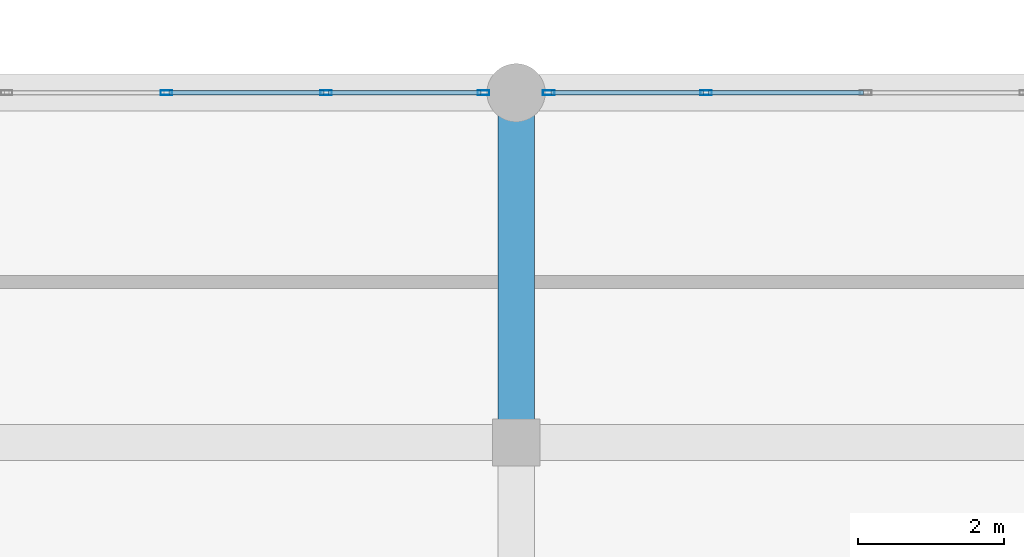
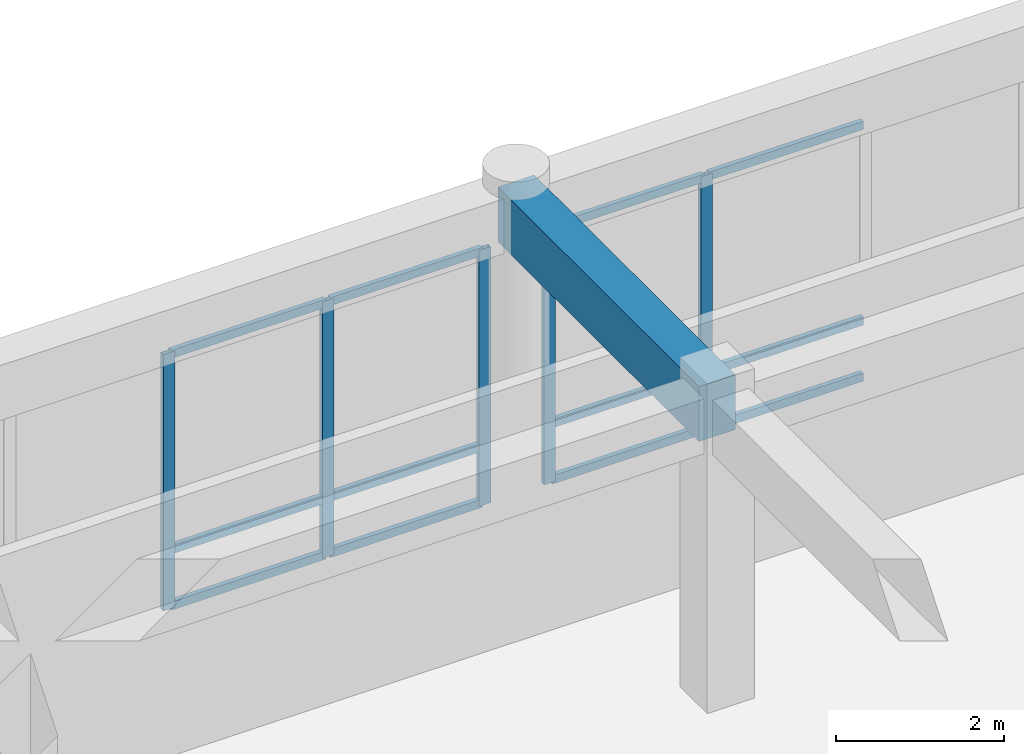
# One storey, part 6 of 101: 17 members, 1 beam, 2 elements without a shape of their own.
"""IFC4 building model written with IfcOpenShell, lengths in metres."""

from ifc_helpers import new_model, si_unit, direction, frame, origin, origin_2d, place, context, subcontext, project, spatial, rectangle, hollow_rectangle, extrude, material, layer, layer_set, material_profile, profile_set, type_object, element, aggregate, save


model = new_model("IFC4")

# Units and contexts
model_context = context("Model", 3, precision=1e-05, world=origin(), true_north=direction((0.0, 1.0)))
body_context = subcontext(model_context, "Body", "Model", "MODEL_VIEW")
ifc_project = project(units=[si_unit("LENGTHUNIT", "METRE"), si_unit("AREAUNIT", "SQUARE_METRE"), si_unit("VOLUMEUNIT", "CUBIC_METRE"), si_unit("PLANEANGLEUNIT", "RADIAN"), si_unit("MASSUNIT", "GRAM", prefix="KILO")], contexts=[model_context])

# Site, building, storey
site_placement = place(None, origin())
site = spatial("IfcSite", under=ifc_project, at=site_placement, CompositionType="ELEMENT")
building_placement = place(site_placement, origin())
building = spatial("IfcBuilding", under=site, at=building_placement, Name="Nakhvara Creek Congress Hotel", CompositionType="ELEMENT")
storey_placement = place(building_placement, frame((0.0, 0.0, 16.199951171875)))
storey = spatial("IfcBuildingStorey", under=building, at=storey_placement, Name="L03", CompositionType="ELEMENT", Elevation=16.199951171875)

# Beam
ifc_material_1 = material(Name="Concrete C40/50", Category="concrete")
ifc_material_profile_1 = material_profile(ifc_material_1, rectangle(XDim=0.5, YDim=0.800048828125, at=origin_2d()), Name="RC-BM 500x800", Category="LoadBearing")
ifc_profile_set_1 = profile_set([ifc_material_profile_1], Name="Concrete C40/50")
beam_type = type_object("IfcBeamType", Name="BM-RC-500X800", PredefinedType="BEAM", material=ifc_profile_set_1)
beam_placement = place(storey_placement, frame((86.39990234375, 38.39990234375, 4.14013671875), z_axis=(0.0, 1.0, 0.0), x_axis=(-1.0, 0.0, 0.0)))
element("IfcBeam", 1, at=beam_placement, inside=storey, type_object=beam_type, Name="Beam B03-L03-1719", PredefinedType="BEAM", context=body_context, shape_type="SweptSolid", body=[
    extrude(rectangle(XDim=0.5, YDim=0.800048828125, at=origin_2d()), origin(), (0.0, 0.0, 1.0), 4.800048828125),
])

# Curtain wall, members
ifc_material_2 = material(Name="Bronze-anodised aluminium AW-6063-T6 and double-silver low-E glass", Category="aluminium")
ifc_layer = layer(ifc_material_2, 0.199951171875)
ifc_layer_set = layer_set([ifc_layer], Name="Bronze-anodised aluminium AW-6063-T6 and double-silver low-E glass")
curtain_wall_type = type_object("IfcCurtainWallType", Name="CW-POD-STICK", PredefinedType="NOTDEFINED", material=ifc_layer_set)
curtain_wall_1_placement = place(storey_placement, origin())
curtain_wall_1 = element("IfcCurtainWall", 2, at=curtain_wall_1_placement, inside=storey, type_object=curtain_wall_type, Name="Curtain Wall CW049", PredefinedType="NOTDEFINED")
ifc_material_3 = material(Name="Bronze-anodised aluminium AW-6063-T6", Category="aluminium")
ifc_material_profile_2 = material_profile(ifc_material_3, hollow_rectangle(XDim=0.06494140625, YDim=0.159912109375, WallThickness=0.00390625, at=origin_2d()), Name="ALU-MULL 65x160x4", Category="LoadBearing")
ifc_profile_set_2 = profile_set([ifc_material_profile_2], Name="Bronze-anodised aluminium AW-6063-T6")
member_type_1 = type_object("IfcMemberType", Name="CW-MULL-160", PredefinedType="MULLION", material=ifc_profile_set_2)
member_1_placement = place(storey_placement, frame((81.60009765625, 43.199951171875, 0.0), z_axis=(0.0, 0.0, 1.0), x_axis=(0.0, 1.0, 0.0)))
member_1 = element("IfcMember", 3, at=member_1_placement, type_object=member_type_1, Name="CW049 mullion 3", PredefinedType="MULLION", context=body_context, shape_type="SweptSolid", body=[
    extrude(hollow_rectangle(XDim=0.06494140625, YDim=0.159912109375, WallThickness=0.00390625, at=origin_2d()), origin(), (0.0, 0.0, 1.0), 3.73193359375),
])
member_2_placement = place(storey_placement, frame((83.79248046875, 43.199951171875, 0.0), z_axis=(0.0, 0.0, 1.0), x_axis=(0.0, 1.0, 0.0)))
member_2 = element("IfcMember", 4, at=member_2_placement, type_object=member_type_1, Name="CW049 mullion 4", PredefinedType="MULLION", context=body_context, shape_type="SweptSolid", body=[
    extrude(hollow_rectangle(XDim=0.06494140625, YDim=0.159912109375, WallThickness=0.00390625, at=origin_2d()), origin(), (0.0, 0.0, 1.0), 3.73193359375),
])
member_3_placement = place(storey_placement, frame((85.952392578125, 43.199951171875, 0.0), z_axis=(0.0, 0.0, 1.0), x_axis=(0.0, 1.0, 0.0)))
member_3 = element("IfcMember", 5, at=member_3_placement, type_object=member_type_1, Name="CW049 mullion 5", PredefinedType="MULLION", context=body_context, shape_type="SweptSolid", body=[
    extrude(hollow_rectangle(XDim=0.06494140625, YDim=0.159912109375, WallThickness=0.00390625, at=origin_2d()), origin(), (0.0, 0.0, 1.0), 3.73193359375),
])

curtain_wall_2_placement = place(storey_placement, origin())
curtain_wall_2 = element("IfcCurtainWall", 6, at=curtain_wall_2_placement, inside=storey, type_object=curtain_wall_type, Name="Curtain Wall CW051", PredefinedType="NOTDEFINED")
member_4_placement = place(storey_placement, frame((86.847412109375, 43.199951171875, 0.0), z_axis=(0.0, 0.0, 1.0), x_axis=(0.0, 1.0, 0.0)))
member_4 = element("IfcMember", 7, at=member_4_placement, type_object=member_type_1, Name="CW051 mullion 1", PredefinedType="MULLION", context=body_context, shape_type="SweptSolid", body=[
    extrude(hollow_rectangle(XDim=0.06494140625, YDim=0.159912109375, WallThickness=0.00390625, at=origin_2d()), origin(), (0.0, 0.0, 1.0), 3.73193359375),
])
member_5_placement = place(storey_placement, frame((89.007568359375, 43.199951171875, 0.0), z_axis=(0.0, 0.0, 1.0), x_axis=(0.0, 1.0, 0.0)))
member_5 = element("IfcMember", 8, at=member_5_placement, type_object=member_type_1, Name="CW051 mullion 2", PredefinedType="MULLION", context=body_context, shape_type="SweptSolid", body=[
    extrude(hollow_rectangle(XDim=0.06494140625, YDim=0.159912109375, WallThickness=0.00390625, at=origin_2d()), origin(), (0.0, 0.0, 1.0), 3.73193359375),
])

# Member
ifc_material_profile_3 = material_profile(ifc_material_3, hollow_rectangle(XDim=0.06494140625, YDim=0.1201171875, WallThickness=0.00390625, at=origin_2d()), Name="ALU-TRAN 65x120x4", Category="LoadBearing")
ifc_profile_set_3 = profile_set([ifc_material_profile_3], Name="Bronze-anodised aluminium AW-6063-T6")
member_type_2 = type_object("IfcMemberType", Name="CW-TRAN-120", PredefinedType="USERDEFINED", material=ifc_profile_set_3)
member_6_placement = place(storey_placement, frame((81.632568359375, 43.199951171875, 0.032470703125), z_axis=(1.0, 0.0, 0.0), x_axis=(0.0, 1.0, 0.0)))
member_6 = element("IfcMember", 9, at=member_6_placement, type_object=member_type_2, Name="CW049 transom 3.1", ObjectType="TRANSOM", PredefinedType="USERDEFINED", context=body_context, shape_type="SweptSolid", body=[
    extrude(hollow_rectangle(XDim=0.06494140625, YDim=0.1201171875, WallThickness=0.00390625, at=origin_2d()), origin(), (0.0, 0.0, 1.0), 2.12744140625),
])

member_7_placement = place(storey_placement, frame((81.632568359375, 43.199951171875, 0.85009765625), z_axis=(1.0, 0.0, 0.0), x_axis=(0.0, 1.0, 0.0)))
member_7 = element("IfcMember", 10, at=member_7_placement, type_object=member_type_2, Name="CW049 transom 3.2", ObjectType="TRANSOM", PredefinedType="USERDEFINED", context=body_context, shape_type="SweptSolid", body=[
    extrude(hollow_rectangle(XDim=0.06494140625, YDim=0.1201171875, WallThickness=0.00390625, at=origin_2d()), origin(), (0.0, 0.0, 1.0), 2.12744140625),
])

member_8_placement = place(storey_placement, frame((81.632568359375, 43.199951171875, 3.699462890625), z_axis=(1.0, 0.0, 0.0), x_axis=(0.0, 1.0, 0.0)))
member_8 = element("IfcMember", 11, at=member_8_placement, type_object=member_type_2, Name="CW049 transom 3.3", ObjectType="TRANSOM", PredefinedType="USERDEFINED", context=body_context, shape_type="SweptSolid", body=[
    extrude(hollow_rectangle(XDim=0.06494140625, YDim=0.1201171875, WallThickness=0.00390625, at=origin_2d()), origin(), (0.0, 0.0, 1.0), 2.12744140625),
])

member_9_placement = place(storey_placement, frame((83.824951171875, 43.199951171875, 0.032470703125), z_axis=(1.0, 0.0, 0.0), x_axis=(0.0, 1.0, 0.0)))
member_9 = element("IfcMember", 12, at=member_9_placement, type_object=member_type_2, Name="CW049 transom 4.1", ObjectType="TRANSOM", PredefinedType="USERDEFINED", context=body_context, shape_type="SweptSolid", body=[
    extrude(hollow_rectangle(XDim=0.06494140625, YDim=0.1201171875, WallThickness=0.00390625, at=origin_2d()), origin(), (0.0, 0.0, 1.0), 2.094970703125),
])

member_10_placement = place(storey_placement, frame((83.824951171875, 43.199951171875, 0.85009765625), z_axis=(1.0, 0.0, 0.0), x_axis=(0.0, 1.0, 0.0)))
member_10 = element("IfcMember", 13, at=member_10_placement, type_object=member_type_2, Name="CW049 transom 4.2", ObjectType="TRANSOM", PredefinedType="USERDEFINED", context=body_context, shape_type="SweptSolid", body=[
    extrude(hollow_rectangle(XDim=0.06494140625, YDim=0.1201171875, WallThickness=0.00390625, at=origin_2d()), origin(), (0.0, 0.0, 1.0), 2.094970703125),
])

member_11_placement = place(storey_placement, frame((83.824951171875, 43.199951171875, 3.699462890625), z_axis=(1.0, 0.0, 0.0), x_axis=(0.0, 1.0, 0.0)))
member_11 = element("IfcMember", 14, at=member_11_placement, type_object=member_type_2, Name="CW049 transom 4.3", ObjectType="TRANSOM", PredefinedType="USERDEFINED", context=body_context, shape_type="SweptSolid", body=[
    extrude(hollow_rectangle(XDim=0.06494140625, YDim=0.1201171875, WallThickness=0.00390625, at=origin_2d()), origin(), (0.0, 0.0, 1.0), 2.094970703125),
])

aggregate(curtain_wall_1, [member_1, member_2, member_3, member_6, member_7, member_8, member_9, member_10, member_11])

member_12_placement = place(storey_placement, frame((86.8798828125, 43.199951171875, 0.032470703125), z_axis=(1.0, 0.0, 0.0), x_axis=(0.0, 1.0, 0.0)))
member_12 = element("IfcMember", 15, at=member_12_placement, type_object=member_type_2, Name="CW051 transom 1.1", ObjectType="TRANSOM", PredefinedType="USERDEFINED", context=body_context, shape_type="SweptSolid", body=[
    extrude(hollow_rectangle(XDim=0.06494140625, YDim=0.1201171875, WallThickness=0.00390625, at=origin_2d()), origin(), (0.0, 0.0, 1.0), 2.09521484375),
])

member_13_placement = place(storey_placement, frame((86.8798828125, 43.199951171875, 0.85009765625), z_axis=(1.0, 0.0, 0.0), x_axis=(0.0, 1.0, 0.0)))
member_13 = element("IfcMember", 16, at=member_13_placement, type_object=member_type_2, Name="CW051 transom 1.2", ObjectType="TRANSOM", PredefinedType="USERDEFINED", context=body_context, shape_type="SweptSolid", body=[
    extrude(hollow_rectangle(XDim=0.06494140625, YDim=0.1201171875, WallThickness=0.00390625, at=origin_2d()), origin(), (0.0, 0.0, 1.0), 2.09521484375),
])

member_14_placement = place(storey_placement, frame((86.8798828125, 43.199951171875, 3.699462890625), z_axis=(1.0, 0.0, 0.0), x_axis=(0.0, 1.0, 0.0)))
member_14 = element("IfcMember", 17, at=member_14_placement, type_object=member_type_2, Name="CW051 transom 1.3", ObjectType="TRANSOM", PredefinedType="USERDEFINED", context=body_context, shape_type="SweptSolid", body=[
    extrude(hollow_rectangle(XDim=0.06494140625, YDim=0.1201171875, WallThickness=0.00390625, at=origin_2d()), origin(), (0.0, 0.0, 1.0), 2.09521484375),
])

member_15_placement = place(storey_placement, frame((89.0400390625, 43.199951171875, 0.032470703125), z_axis=(1.0, 0.0, 0.0), x_axis=(0.0, 1.0, 0.0)))
member_15 = element("IfcMember", 18, at=member_15_placement, type_object=member_type_2, Name="CW051 transom 2.1", ObjectType="TRANSOM", PredefinedType="USERDEFINED", context=body_context, shape_type="SweptSolid", body=[
    extrude(hollow_rectangle(XDim=0.06494140625, YDim=0.1201171875, WallThickness=0.00390625, at=origin_2d()), origin(), (0.0, 0.0, 1.0), 2.12744140625),
])

member_16_placement = place(storey_placement, frame((89.0400390625, 43.199951171875, 0.85009765625), z_axis=(1.0, 0.0, 0.0), x_axis=(0.0, 1.0, 0.0)))
member_16 = element("IfcMember", 19, at=member_16_placement, type_object=member_type_2, Name="CW051 transom 2.2", ObjectType="TRANSOM", PredefinedType="USERDEFINED", context=body_context, shape_type="SweptSolid", body=[
    extrude(hollow_rectangle(XDim=0.06494140625, YDim=0.1201171875, WallThickness=0.00390625, at=origin_2d()), origin(), (0.0, 0.0, 1.0), 2.12744140625),
])

member_17_placement = place(storey_placement, frame((89.0400390625, 43.199951171875, 3.699462890625), z_axis=(1.0, 0.0, 0.0), x_axis=(0.0, 1.0, 0.0)))
member_17 = element("IfcMember", 20, at=member_17_placement, type_object=member_type_2, Name="CW051 transom 2.3", ObjectType="TRANSOM", PredefinedType="USERDEFINED", context=body_context, shape_type="SweptSolid", body=[
    extrude(hollow_rectangle(XDim=0.06494140625, YDim=0.1201171875, WallThickness=0.00390625, at=origin_2d()), origin(), (0.0, 0.0, 1.0), 2.12744140625),
])

aggregate(curtain_wall_2, [member_4, member_5, member_12, member_13, member_14, member_15, member_16, member_17])

save(model, "model.ifc")
